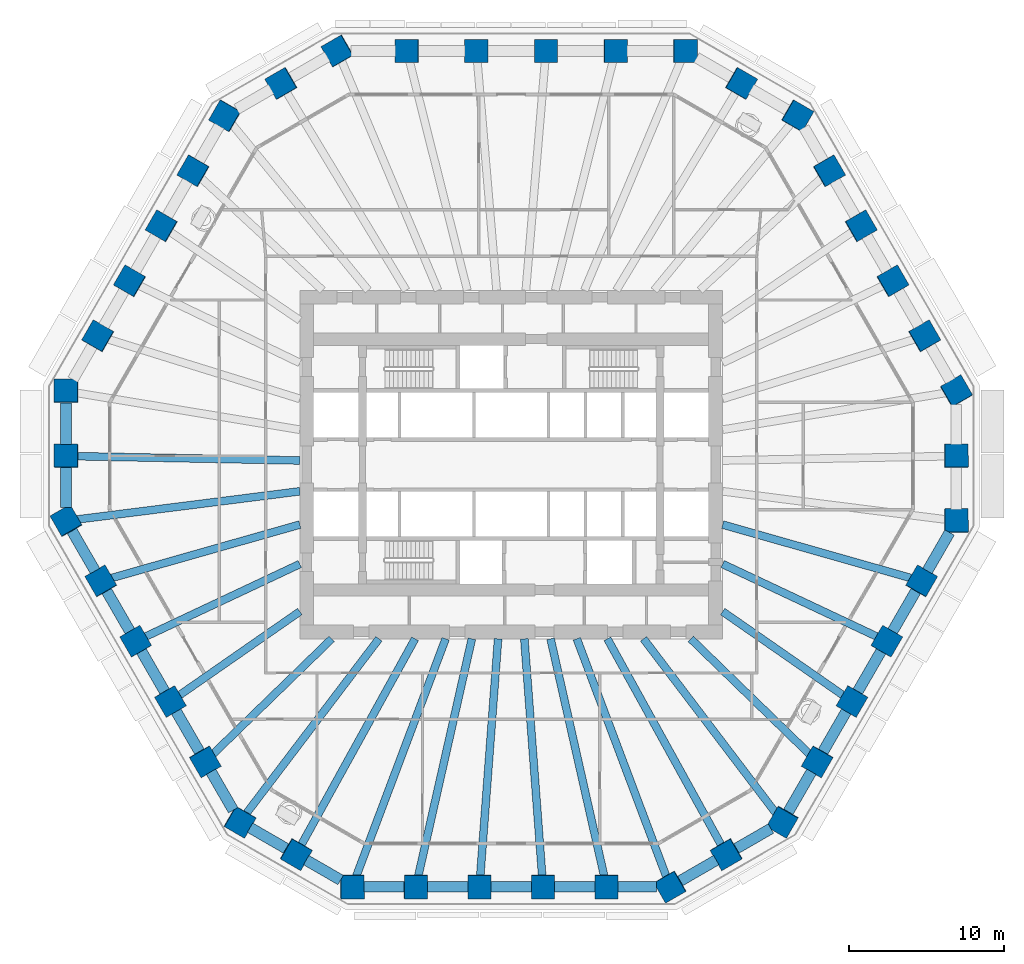
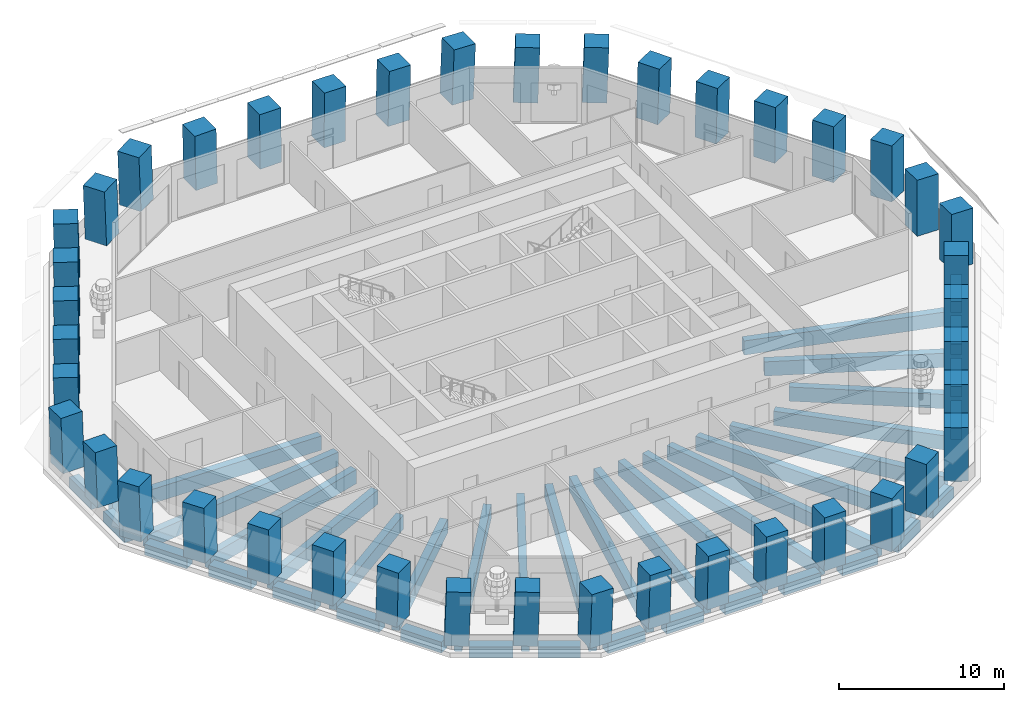
# One storey, part 1 of 13: 42 columns, 41 beams.
"""IFC4 building model written with IfcOpenShell, lengths in metres."""

from ifc_helpers import new_model, si_unit, direction, frame, origin, origin_2d, place, context, subcontext, project, spatial, rectangle, extrude, material, material_profile, profile_set, type_object, element, save


model = new_model("IFC4")

# Units and contexts
model_context = context("Model", 3, precision=1e-05, world=origin(), true_north=direction((0.0, 1.0)))
body_context = subcontext(model_context, "Body", "Model", "MODEL_VIEW")
ifc_project = project(units=[si_unit("LENGTHUNIT", "METRE"), si_unit("AREAUNIT", "SQUARE_METRE"), si_unit("VOLUMEUNIT", "CUBIC_METRE"), si_unit("PLANEANGLEUNIT", "RADIAN"), si_unit("MASSUNIT", "GRAM", prefix="KILO")], contexts=[model_context])

# Site, building, storey
site_placement = place(None, origin())
site = spatial("IfcSite", under=ifc_project, at=site_placement, CompositionType="ELEMENT")
building_placement = place(site_placement, origin())
building = spatial("IfcBuilding", under=site, at=building_placement, Name="Frailejon Research Tower", CompositionType="ELEMENT")
storey_placement = place(building_placement, frame((0.0, 0.0, 32.199951171875)))
storey = spatial("IfcBuildingStorey", under=building, at=storey_placement, Name="L07", CompositionType="ELEMENT", Elevation=32.199951171875)

# Columns
ifc_material_1 = material(Name="Concrete C70/85", Category="concrete")
ifc_material_profile_1 = material_profile(ifc_material_1, rectangle(XDim=1.5, YDim=1.5, at=origin_2d()), Name="Column 1500")
ifc_profile_set_1 = profile_set([ifc_material_profile_1], Name="Concrete C70/85")
column_type = type_object("IfcColumnType", Name="Column 1500", PredefinedType="COLUMN", material=ifc_profile_set_1)
for number, where, z_axis, x_axis, name in (
    (1, (28.732177734375, -3.634521484375, 0.0), (0.018132595726, 0.031445896907, 0.999340965106), (-0.001395592918, 0.999505115145, -0.031425739745), "Column C01"),
    (2, (28.732177734375, 0.552978515625, 0.0), (0.018132595726, 0.031445896907, 0.999340965106), (-0.001395592918, 0.999505115145, -0.031425739745), "Column C02"),
    (3, (28.732177734375, 4.74072265625, 0.0), (0.018132630042, 0.031385715123, 0.999342856388), (-0.500678917491, 0.865443910419, -0.018095842014), "Column C03"),
):
    element("IfcColumn", number, at=place(storey_placement, frame(where, z_axis=z_axis, x_axis=x_axis)), inside=storey, type_object=column_type, Name=name, PredefinedType="COLUMN", context=body_context, shape_type="SweptSolid", body=[
        extrude(rectangle(XDim=1.5, YDim=1.5, at=origin_2d()), origin(), (0.0, 0.0, 1.0), 4.052734375),
    ])
column_1_placement = place(storey_placement, frame((26.679931640625, 8.294921875, 0.0), z_axis=(0.021809609218, 0.025123223878, 0.999446429063), x_axis=(-0.499316957517, 0.86635106376, -0.010881647777)))
element("IfcColumn", 4, at=column_1_placement, inside=storey, type_object=column_type, Name="Column C04", PredefinedType="COLUMN", context=body_context, shape_type="SweptSolid", body=[
    extrude(rectangle(XDim=1.5, YDim=1.5, at=origin_2d()), origin(), (0.0, 0.0, 1.0), 4.05224609375),
])
for number, where, z_axis, x_axis, name in (
    (5, (24.6279296875, 11.849365234375, 0.0), (0.025365582388, 0.018858497119, 0.999500347332), (-0.501191337303, 0.865328971352, -0.0036075963), "Column C05"),
    (6, (22.57568359375, 15.40380859375, 0.0), (0.029040860623, 0.012532155622, 0.999499661576), (-0.499041572146, 0.866570424295, 0.003634419767), "Column C06"),
):
    element("IfcColumn", number, at=place(storey_placement, frame(where, z_axis=z_axis, x_axis=x_axis)), inside=storey, type_object=column_type, Name=name, PredefinedType="COLUMN", context=body_context, shape_type="SweptSolid", body=[
        extrude(rectangle(XDim=1.5, YDim=1.5, at=origin_2d()), origin(), (0.0, 0.0, 1.0), 4.052001953125),
    ])
column_2_placement = place(storey_placement, frame((20.523681640625, 18.9580078125, 0.0), z_axis=(0.032654187208, 0.006265748099, 0.999447069363), x_axis=(-0.499519823947, 0.866234008258, 0.010889831076)))
element("IfcColumn", 7, at=column_2_placement, inside=storey, type_object=column_type, Name="Column C07", PredefinedType="COLUMN", context=body_context, shape_type="SweptSolid", body=[
    extrude(rectangle(XDim=1.5, YDim=1.5, at=origin_2d()), origin(), (0.0, 0.0, 1.0), 4.05224609375),
])
for number, where, z_axis, x_axis, name in (
    (8, (18.4716796875, 22.512451171875, 0.0), (0.036265236264, 0.0, 0.999342199969), (-0.865313546461, 0.500246354177, 0.031401456084), "Column C08"),
    (9, (14.84521484375, 24.606201171875, 0.0), (0.036205074038, 0.0, 0.999344381389), (-0.865315435316, 0.500246354177, 0.031349362627), "Column C09"),
    (10, (11.218505859375, 26.699951171875, 0.0), (0.036265236264, 0.0, 0.999342199969), (-0.999342199969, 0.0, 0.036265236264), "Column C10"),
):
    element("IfcColumn", number, at=place(storey_placement, frame(where, z_axis=z_axis, x_axis=x_axis)), inside=storey, type_object=column_type, Name=name, PredefinedType="COLUMN", context=body_context, shape_type="SweptSolid", body=[
        extrude(rectangle(XDim=1.5, YDim=1.5, at=origin_2d()), origin(), (0.0, 0.0, 1.0), 4.052734375),
    ])
column_3_placement = place(storey_placement, frame((6.731201171875, 26.699951171875, 0.0), z_axis=(0.021756257337, 0.0, 0.999763304621), x_axis=(-0.999763304621, 0.0, 0.021756257337)))
element("IfcColumn", 11, at=column_3_placement, inside=storey, type_object=column_type, Name="Column C11", PredefinedType="COLUMN", context=body_context, shape_type="SweptSolid", body=[
    extrude(rectangle(XDim=1.5, YDim=1.5, at=origin_2d()), origin(), (0.0, 0.0, 1.0), 4.051025390625),
])
for number, where, z_axis, x_axis, name in (
    (12, (2.24365234375, 26.699951171875, 0.0), (0.007293795973, 0.0, 0.999973399916), (-0.999973399916, 0.0, 0.007293795973), "Column C12"),
    (13, (-2.24365234375, 26.699951171875, 0.0), (-0.007293795973, 0.0, 0.999973399916), (-0.999973399916, 0.0, -0.007293795973), "Column C13"),
):
    element("IfcColumn", number, at=place(storey_placement, frame(where, z_axis=z_axis, x_axis=x_axis)), inside=storey, type_object=column_type, Name=name, PredefinedType="COLUMN", context=body_context, shape_type="SweptSolid", body=[
        extrude(rectangle(XDim=1.5, YDim=1.5, at=origin_2d()), origin(), (0.0, 0.0, 1.0), 4.050048828125),
    ])
column_4_placement = place(storey_placement, frame((-6.731201171875, 26.699951171875, 0.0), z_axis=(-0.021756257337, 0.0, 0.999763304621), x_axis=(-0.999763304621, 0.0, -0.021756257337)))
element("IfcColumn", 14, at=column_4_placement, inside=storey, type_object=column_type, Name="Column C14", PredefinedType="COLUMN", context=body_context, shape_type="SweptSolid", body=[
    extrude(rectangle(XDim=1.5, YDim=1.5, at=origin_2d()), origin(), (0.0, 0.0, 1.0), 4.051025390625),
])
for number, where, z_axis, x_axis, name in (
    (15, (-11.218505859375, 26.699951171875, 0.0), (-0.036265236264, 0.0, 0.999342199969), (-0.865313546461, -0.500246354177, -0.031401456084), "Column C15"),
    (16, (-14.84521484375, 24.606201171875, 0.0), (-0.036205074038, 0.0, 0.999344381389), (-0.865315435316, -0.500246354177, -0.031349362627), "Column C16"),
    (17, (-18.4716796875, 22.512451171875, 0.0), (-0.036265236264, 0.0, 0.999342199969), (-0.499424867419, -0.866167613071, -0.018123682572), "Column C17"),
):
    element("IfcColumn", number, at=place(storey_placement, frame(where, z_axis=z_axis, x_axis=x_axis)), inside=storey, type_object=column_type, Name=name, PredefinedType="COLUMN", context=body_context, shape_type="SweptSolid", body=[
        extrude(rectangle(XDim=1.5, YDim=1.5, at=origin_2d()), origin(), (0.0, 0.0, 1.0), 4.052734375),
    ])
column_5_placement = place(storey_placement, frame((-20.523681640625, 18.9580078125, 0.0), z_axis=(-0.032654187208, 0.006265748099, 0.999447069363), x_axis=(-0.499519823947, -0.866234008258, -0.010889831076)))
element("IfcColumn", 18, at=column_5_placement, inside=storey, type_object=column_type, Name="Column C18", PredefinedType="COLUMN", context=body_context, shape_type="SweptSolid", body=[
    extrude(rectangle(XDim=1.5, YDim=1.5, at=origin_2d()), origin(), (0.0, 0.0, 1.0), 4.05224609375),
])
for number, where, z_axis, x_axis, name in (
    (19, (-22.57568359375, 15.40380859375, 0.0), (-0.029040860623, 0.012532155622, 0.999499661576), (-0.499041572146, -0.866570424295, -0.003634419767), "Column C19"),
    (20, (-24.6279296875, 11.849365234375, 0.0), (-0.025365582388, 0.018858497119, 0.999500347332), (-0.501191337303, -0.865328971352, 0.0036075963), "Column C20"),
):
    element("IfcColumn", number, at=place(storey_placement, frame(where, z_axis=z_axis, x_axis=x_axis)), inside=storey, type_object=column_type, Name=name, PredefinedType="COLUMN", context=body_context, shape_type="SweptSolid", body=[
        extrude(rectangle(XDim=1.5, YDim=1.5, at=origin_2d()), origin(), (0.0, 0.0, 1.0), 4.052001953125),
    ])
column_6_placement = place(storey_placement, frame((-26.679931640625, 8.294921875, 0.0), z_axis=(-0.021809609218, 0.025123223878, 0.999446429063), x_axis=(-0.499316957517, -0.86635106376, 0.010881647777)))
element("IfcColumn", 21, at=column_6_placement, inside=storey, type_object=column_type, Name="Column C21", PredefinedType="COLUMN", context=body_context, shape_type="SweptSolid", body=[
    extrude(rectangle(XDim=1.5, YDim=1.5, at=origin_2d()), origin(), (0.0, 0.0, 1.0), 4.05224609375),
])
for number, where, z_axis, x_axis, name in (
    (22, (-28.732177734375, 4.74072265625, 0.0), (-0.018132630042, 0.031385715123, 0.999342856388), (-0.000879091474, -0.999507299139, 0.031374928948), "Column C22"),
    (23, (-28.732177734375, 0.552978515625, 0.0), (-0.018132595726, 0.031445896907, 0.999340965106), (-0.001395592918, -0.999505115145, 0.031425739745), "Column C23"),
    (24, (-28.732177734375, -3.634521484375, 0.0), (-0.018132595726, 0.031445896907, 0.999340965106), (0.498955201563, -0.865867236636, 0.036299247284), "Column C24"),
):
    element("IfcColumn", number, at=place(storey_placement, frame(where, z_axis=z_axis, x_axis=x_axis)), inside=storey, type_object=column_type, Name=name, PredefinedType="COLUMN", context=body_context, shape_type="SweptSolid", body=[
        extrude(rectangle(XDim=1.5, YDim=1.5, at=origin_2d()), origin(), (0.0, 0.0, 1.0), 4.052734375),
    ])
column_7_placement = place(storey_placement, frame((-26.48828125, -7.520751953125, 0.0), z_axis=(-0.010908253887, 0.018863444567, 0.99976256204), x_axis=(0.500638377412, -0.865382225109, 0.021790354016)))
element("IfcColumn", 25, at=column_7_placement, inside=storey, type_object=column_type, Name="Column C25", PredefinedType="COLUMN", context=body_context, shape_type="SweptSolid", body=[
    extrude(rectangle(XDim=1.5, YDim=1.5, at=origin_2d()), origin(), (0.0, 0.0, 1.0), 4.051025390625),
])
for number, where, z_axis, x_axis, name in (
    (26, (-24.24462890625, -11.406982421875, 0.0), (-0.003677036938, 0.006329325876, 0.999973209158), (0.502147149997, -0.864751212075, 0.007319901948), "Column C26"),
    (27, (-22.0009765625, -15.293212890625, 0.0), (0.003616759812, -0.006269050341, 0.999973808685), (0.501883236828, -0.864905101718, -0.007237514304), "Column C27"),
):
    element("IfcColumn", number, at=place(storey_placement, frame(where, z_axis=z_axis, x_axis=x_axis)), inside=storey, type_object=column_type, Name=name, PredefinedType="COLUMN", context=body_context, shape_type="SweptSolid", body=[
        extrude(rectangle(XDim=1.5, YDim=1.5, at=origin_2d()), origin(), (0.0, 0.0, 1.0), 4.050048828125),
    ])
column_8_placement = place(storey_placement, frame((-19.75732421875, -19.17919921875, 0.0), z_axis=(0.010908253887, -0.018863444567, 0.99976256204), x_axis=(0.500638377412, -0.865382225109, -0.021790354016)))
element("IfcColumn", 28, at=column_8_placement, inside=storey, type_object=column_type, Name="Column C28", PredefinedType="COLUMN", context=body_context, shape_type="SweptSolid", body=[
    extrude(rectangle(XDim=1.5, YDim=1.5, at=origin_2d()), origin(), (0.0, 0.0, 1.0), 4.051025390625),
])
for number, where, z_axis, x_axis, name in (
    (29, (-17.513671875, -23.0654296875, 0.0), (0.018132595726, -0.031445896907, 0.999340965106), (0.865740985748, -0.499504693256, -0.031426215359), "Column C29"),
    (30, (-13.88720703125, -25.1591796875, 0.0), (0.018132595726, -0.031445896907, 0.999340965106), (0.865469370655, -0.499974541214, -0.031436071558), "Column C30"),
    (31, (-10.260498046875, -27.253173828125, 0.0), (0.018132630042, -0.031385715123, 0.999342856388), (0.999835440934, 0.001115627466, -0.018106529978), "Column C31"),
):
    element("IfcColumn", number, at=place(storey_placement, frame(where, z_axis=z_axis, x_axis=x_axis)), inside=storey, type_object=column_type, Name=name, PredefinedType="COLUMN", context=body_context, shape_type="SweptSolid", body=[
        extrude(rectangle(XDim=1.5, YDim=1.5, at=origin_2d()), origin(), (0.0, 0.0, 1.0), 4.052734375),
    ])
column_9_placement = place(storey_placement, frame((-6.15625, -27.253173828125, 0.0), z_axis=(0.010844578562, -0.031389030172, 0.999448409824), x_axis=(0.999940901456, -0.000426521309, -0.010863317853)))
element("IfcColumn", 32, at=column_9_placement, inside=storey, type_object=column_type, Name="Column C32", PredefinedType="COLUMN", context=body_context, shape_type="SweptSolid", body=[
    extrude(rectangle(XDim=1.5, YDim=1.5, at=origin_2d()), origin(), (0.0, 0.0, 1.0), 4.05224609375),
])
for number, where, z_axis, x_axis, name in (
    (33, (-2.052001953125, -27.253173828125, 0.0), (0.00361504848, -0.031390670968, 0.999500653927), (0.999993330164, -0.00040689317, -0.003629609449), "Column C33"),
    (34, (2.052001953125, -27.253173828125, 0.0), (-0.00361504848, -0.031390670968, 0.999500653927), (0.999993330164, 0.00040689317, 0.003629609449), "Column C34"),
):
    element("IfcColumn", number, at=place(storey_placement, frame(where, z_axis=z_axis, x_axis=x_axis)), inside=storey, type_object=column_type, Name=name, PredefinedType="COLUMN", context=body_context, shape_type="SweptSolid", body=[
        extrude(rectangle(XDim=1.5, YDim=1.5, at=origin_2d()), origin(), (0.0, 0.0, 1.0), 4.052001953125),
    ])
column_10_placement = place(storey_placement, frame((6.15625, -27.253173828125, 0.0), z_axis=(-0.010844578562, -0.031389030172, 0.999448409824), x_axis=(0.999940901456, 0.000426521309, 0.010863317853)))
element("IfcColumn", 35, at=column_10_placement, inside=storey, type_object=column_type, Name="Column C35", PredefinedType="COLUMN", context=body_context, shape_type="SweptSolid", body=[
    extrude(rectangle(XDim=1.5, YDim=1.5, at=origin_2d()), origin(), (0.0, 0.0, 1.0), 4.05224609375),
])
for number, where, z_axis, x_axis, name in (
    (36, (10.260498046875, -27.253173828125, 0.0), (-0.018132630042, -0.031385715123, 0.999342856388), (0.866156195426, 0.498787200508, 0.031381104725), "Column C36"),
    (37, (13.88720703125, -25.1591796875, 0.0), (-0.018132595726, -0.031445896907, 0.999340965106), (0.865469370655, 0.499974541214, 0.031436071558), "Column C37"),
    (38, (17.513671875, -23.0654296875, 0.0), (-0.018132595726, -0.031445896907, 0.999340965106), (0.499425428362, 0.865596098728, 0.036299247542), "Column C38"),
):
    element("IfcColumn", number, at=place(storey_placement, frame(where, z_axis=z_axis, x_axis=x_axis)), inside=storey, type_object=column_type, Name=name, PredefinedType="COLUMN", context=body_context, shape_type="SweptSolid", body=[
        extrude(rectangle(XDim=1.5, YDim=1.5, at=origin_2d()), origin(), (0.0, 0.0, 1.0), 4.052734375),
    ])
column_11_placement = place(storey_placement, frame((19.75732421875, -19.17919921875, 0.0), z_axis=(-0.010908253887, -0.018863444567, 0.99976256204), x_axis=(0.500638377412, 0.865382225109, 0.021790354016)))
element("IfcColumn", 39, at=column_11_placement, inside=storey, type_object=column_type, Name="Column C39", PredefinedType="COLUMN", context=body_context, shape_type="SweptSolid", body=[
    extrude(rectangle(XDim=1.5, YDim=1.5, at=origin_2d()), origin(), (0.0, 0.0, 1.0), 4.051025390625),
])
for number, where, z_axis, x_axis, name in (
    (40, (22.0009765625, -15.293212890625, 0.0), (-0.003616759812, -0.006269050341, 0.999973808685), (0.501883236828, 0.864905101718, 0.007237514304), "Column C40"),
    (41, (24.24462890625, -11.406982421875, 0.0), (0.003677036938, 0.006329325876, 0.999973209158), (0.502147149997, 0.864751212075, -0.007319901948), "Column C41"),
):
    element("IfcColumn", number, at=place(storey_placement, frame(where, z_axis=z_axis, x_axis=x_axis)), inside=storey, type_object=column_type, Name=name, PredefinedType="COLUMN", context=body_context, shape_type="SweptSolid", body=[
        extrude(rectangle(XDim=1.5, YDim=1.5, at=origin_2d()), origin(), (0.0, 0.0, 1.0), 4.050048828125),
    ])
column_12_placement = place(storey_placement, frame((26.48828125, -7.520751953125, 0.0), z_axis=(0.010908253887, 0.018863444567, 0.99976256204), x_axis=(0.500638377412, 0.865382225109, -0.021790354016)))
element("IfcColumn", 42, at=column_12_placement, inside=storey, type_object=column_type, Name="Column C42", PredefinedType="COLUMN", context=body_context, shape_type="SweptSolid", body=[
    extrude(rectangle(XDim=1.5, YDim=1.5, at=origin_2d()), origin(), (0.0, 0.0, 1.0), 4.051025390625),
])

# Beams
ifc_material_2 = material(Name="Concrete C60/75", Category="concrete")
ifc_material_profile_2 = material_profile(ifc_material_2, rectangle(XDim=0.5, YDim=1.050048828125, at=origin_2d()), Name="Girder 500x1050")
ifc_profile_set_2 = profile_set([ifc_material_profile_2], Name="Concrete C60/75")
beam_type_1 = type_object("IfcBeamType", Name="Girder 500x1050", PredefinedType="BEAM", material=ifc_profile_set_2)
beam_1_placement = place(storey_placement, frame((-28.132080078125, 0.54150390625, -0.824951171875), z_axis=(0.999814734792, -0.019248275041, 0.0), x_axis=(0.019248275041, 0.999814734792, 0.0)))
element("IfcBeam", 43, at=beam_1_placement, inside=storey, type_object=beam_type_1, Name="Girder 500x1050", PredefinedType="BEAM", context=body_context, shape_type="SweptSolid", body=[
    extrude(rectangle(XDim=0.5, YDim=1.050048828125, at=origin_2d()), origin(), (0.0, 0.0, 1.0), 14.48486328125),
])
beam_2_placement = place(storey_placement, frame((-28.07373046875, -3.55126953125, -0.824951171875), z_axis=(0.992094935369, 0.125489598037, 0.0), x_axis=(-0.125489598037, 0.992094935369, 0.0)))
element("IfcBeam", 44, at=beam_2_placement, inside=storey, type_object=beam_type_1, Name="Girder 500x1050", PredefinedType="BEAM", context=body_context, shape_type="SweptSolid", body=[
    extrude(rectangle(XDim=0.5, YDim=1.050048828125, at=origin_2d()), origin(), (0.0, 0.0, 1.0), 14.538818359375),
])
beam_3_placement = place(storey_placement, frame((-25.888671875, -7.350341796875, -0.824951171875), z_axis=(0.961978109157, 0.273126559498, 0.0), x_axis=(-0.273126559498, 0.961978109157, 0.0)))
element("IfcBeam", 45, at=beam_3_placement, inside=storey, type_object=beam_type_1, Name="Girder 500x1050", PredefinedType="BEAM", context=body_context, shape_type="SweptSolid", body=[
    extrude(rectangle(XDim=0.5, YDim=1.050048828125, at=origin_2d()), origin(), (0.0, 0.0, 1.0), 12.722412109375),
])
beam_4_placement = place(storey_placement, frame((-23.699462890625, -11.150390625, -0.824951171875), z_axis=(0.904851081216, 0.425728224131, 0.0), x_axis=(-0.425728224131, 0.904851081216, 0.0)))
element("IfcBeam", 46, at=beam_4_placement, inside=storey, type_object=beam_type_1, Name="Girder 500x1050", PredefinedType="BEAM", context=body_context, shape_type="SweptSolid", body=[
    extrude(rectangle(XDim=0.5, YDim=1.050048828125, at=origin_2d()), origin(), (0.0, 0.0, 1.0), 11.106201171875),
])
beam_5_placement = place(storey_placement, frame((-21.506103515625, -14.94921875, -0.824951171875), z_axis=(0.821113184417, 0.570765396968, 0.0), x_axis=(-0.570765396968, 0.821113184417, 0.0)))
element("IfcBeam", 47, at=beam_5_placement, inside=storey, type_object=beam_type_1, Name="Girder 500x1050", PredefinedType="BEAM", context=body_context, shape_type="SweptSolid", body=[
    extrude(rectangle(XDim=0.5, YDim=1.050048828125, at=origin_2d()), origin(), (0.0, 0.0, 1.0), 9.567626953125),
])
beam_6_placement = place(storey_placement, frame((-19.309814453125, -18.7451171875, -0.824951171875), z_axis=(0.717511317879, 0.696546846031, 0.0), x_axis=(-0.696546846031, 0.717511317879, 0.0)))
element("IfcBeam", 48, at=beam_6_placement, inside=storey, type_object=beam_type_1, Name="Girder 500x1050", PredefinedType="BEAM", context=body_context, shape_type="SweptSolid", body=[
    extrude(rectangle(XDim=0.5, YDim=1.050048828125, at=origin_2d()), origin(), (0.0, 0.0, 1.0), 10.760498046875),
])
beam_7_placement = place(storey_placement, frame((-17.147216796875, -22.5830078125, -0.824951171875), z_axis=(0.604733021616, 0.796428259523, 0.0), x_axis=(-0.796428259523, 0.604733021616, 0.0)))
element("IfcBeam", 49, at=beam_7_placement, inside=storey, type_object=beam_type_1, Name="Girder 500x1050", PredefinedType="BEAM", context=body_context, shape_type="SweptSolid", body=[
    extrude(rectangle(XDim=0.5, YDim=1.050048828125, at=origin_2d()), origin(), (0.0, 0.0, 1.0), 14.229736328125),
])
beam_8_placement = place(storey_placement, frame((-13.59716796875, -24.6337890625, -0.824951171875), z_axis=(0.483242408296, 0.875486593172, 0.0), x_axis=(-0.875486593172, 0.483242408296, 0.0)))
element("IfcBeam", 50, at=beam_8_placement, inside=storey, type_object=beam_type_1, Name="Girder 500x1050", PredefinedType="BEAM", context=body_context, shape_type="SweptSolid", body=[
    extrude(rectangle(XDim=0.5, YDim=1.050048828125, at=origin_2d()), origin(), (0.0, 0.0, 1.0), 15.287353515625),
])
beam_9_placement = place(storey_placement, frame((-10.031005859375, -26.6435546875, -0.824951171875), z_axis=(0.352339853155, 0.935872121541, 0.0), x_axis=(-0.935872121541, 0.352339853155, 0.0)))
element("IfcBeam", 51, at=beam_9_placement, inside=storey, type_object=beam_type_1, Name="Girder 500x1050", PredefinedType="BEAM", context=body_context, shape_type="SweptSolid", body=[
    extrude(rectangle(XDim=0.5, YDim=1.050048828125, at=origin_2d()), origin(), (0.0, 0.0, 1.0), 16.4482421875),
])
beam_10_placement = place(storey_placement, frame((-6.02001953125, -26.6494140625, -0.824951171875), z_axis=(0.220349629004, 0.975420955792, 0.0), x_axis=(-0.975420955792, 0.220349629004, 0.0)))
element("IfcBeam", 52, at=beam_10_placement, inside=storey, type_object=beam_type_1, Name="Girder 500x1050", PredefinedType="BEAM", context=body_context, shape_type="SweptSolid", body=[
    extrude(rectangle(XDim=0.5, YDim=1.050048828125, at=origin_2d()), origin(), (0.0, 0.0, 1.0), 15.787353515625),
])
for number, where, z_axis, x_axis, name in (
    (53, (-2.0068359375, -26.652587890625, -0.824951171875), (0.075077967891, 0.997177666586, 0.0), (-0.997177666586, 0.075077967891, 0.0), "Girder 500x1050"),
    (54, (2.0068359375, -26.652587890625, -0.824951171875), (-0.075077967891, 0.997177666586, 0.0), (-0.997177666586, -0.075077967891, 0.0), "Girder 500x1050"),
):
    element("IfcBeam", number, at=place(storey_placement, frame(where, z_axis=z_axis, x_axis=x_axis)), inside=storey, type_object=beam_type_1, Name=name, PredefinedType="BEAM", context=body_context, shape_type="SweptSolid", body=[
        extrude(rectangle(XDim=0.5, YDim=1.050048828125, at=origin_2d()), origin(), (0.0, 0.0, 1.0), 15.4462890625),
    ])
beam_11_placement = place(storey_placement, frame((6.02001953125, -26.6494140625, -0.824951171875), z_axis=(-0.220349629004, 0.975420955792, 0.0), x_axis=(-0.975420955792, -0.220349629004, 0.0)))
element("IfcBeam", 55, at=beam_11_placement, inside=storey, type_object=beam_type_1, Name="Girder 500x1050", PredefinedType="BEAM", context=body_context, shape_type="SweptSolid", body=[
    extrude(rectangle(XDim=0.5, YDim=1.050048828125, at=origin_2d()), origin(), (0.0, 0.0, 1.0), 15.787353515625),
])
beam_12_placement = place(storey_placement, frame((10.04541015625, -26.68212890625, -0.824951171875), z_axis=(-0.35233357288, 0.935874485934, 0.0), x_axis=(-0.935874485934, -0.35233357288, 0.0)))
element("IfcBeam", 56, at=beam_12_placement, inside=storey, type_object=beam_type_1, Name="Girder 500x1050", PredefinedType="BEAM", context=body_context, shape_type="SweptSolid", body=[
    extrude(rectangle(XDim=0.5, YDim=1.050048828125, at=origin_2d()), origin(), (0.0, 0.0, 1.0), 16.489501953125),
])
beam_13_placement = place(storey_placement, frame((13.59716796875, -24.6337890625, -0.824951171875), z_axis=(-0.483242408296, 0.875486593172, 0.0), x_axis=(-0.875486593172, -0.483242408296, 0.0)))
element("IfcBeam", 57, at=beam_13_placement, inside=storey, type_object=beam_type_1, Name="Girder 500x1050", PredefinedType="BEAM", context=body_context, shape_type="SweptSolid", body=[
    extrude(rectangle(XDim=0.5, YDim=1.050048828125, at=origin_2d()), origin(), (0.0, 0.0, 1.0), 15.287353515625),
])
beam_14_placement = place(storey_placement, frame((17.1123046875, -22.537109375, -0.824951171875), z_axis=(-0.604730285406, 0.796430337138, 0.0), x_axis=(-0.796430337138, -0.604730285406, 0.0)))
element("IfcBeam", 58, at=beam_14_placement, inside=storey, type_object=beam_type_1, Name="Girder 500x1050", PredefinedType="BEAM", context=body_context, shape_type="SweptSolid", body=[
    extrude(rectangle(XDim=0.5, YDim=1.050048828125, at=origin_2d()), origin(), (0.0, 0.0, 1.0), 14.172119140625),
])
beam_15_placement = place(storey_placement, frame((19.309814453125, -18.7451171875, -0.824951171875), z_axis=(-0.717511317879, 0.696546846031, 0.0), x_axis=(-0.696546846031, -0.717511317879, 0.0)))
element("IfcBeam", 59, at=beam_15_placement, inside=storey, type_object=beam_type_1, Name="Girder 500x1050", PredefinedType="BEAM", context=body_context, shape_type="SweptSolid", body=[
    extrude(rectangle(XDim=0.5, YDim=1.050048828125, at=origin_2d()), origin(), (0.0, 0.0, 1.0), 10.760498046875),
])
beam_16_placement = place(storey_placement, frame((21.506103515625, -14.94921875, -0.824951171875), z_axis=(-0.821113184417, 0.570765396968, 0.0), x_axis=(-0.570765396968, -0.821113184417, 0.0)))
element("IfcBeam", 60, at=beam_16_placement, inside=storey, type_object=beam_type_1, Name="Girder 500x1050", PredefinedType="BEAM", context=body_context, shape_type="SweptSolid", body=[
    extrude(rectangle(XDim=0.5, YDim=1.050048828125, at=origin_2d()), origin(), (0.0, 0.0, 1.0), 9.567626953125),
])
beam_17_placement = place(storey_placement, frame((23.699462890625, -11.150390625, -0.824951171875), z_axis=(-0.904851081216, 0.425728224131, 0.0), x_axis=(-0.425728224131, -0.904851081216, 0.0)))
element("IfcBeam", 61, at=beam_17_placement, inside=storey, type_object=beam_type_1, Name="Girder 500x1050", PredefinedType="BEAM", context=body_context, shape_type="SweptSolid", body=[
    extrude(rectangle(XDim=0.5, YDim=1.050048828125, at=origin_2d()), origin(), (0.0, 0.0, 1.0), 11.106201171875),
])
beam_18_placement = place(storey_placement, frame((25.888671875, -7.350341796875, -0.824951171875), z_axis=(-0.961978109157, 0.273126559498, 0.0), x_axis=(-0.273126559498, -0.961978109157, 0.0)))
element("IfcBeam", 62, at=beam_18_placement, inside=storey, type_object=beam_type_1, Name="Girder 500x1050", PredefinedType="BEAM", context=body_context, shape_type="SweptSolid", body=[
    extrude(rectangle(XDim=0.5, YDim=1.050048828125, at=origin_2d()), origin(), (0.0, 0.0, 1.0), 12.722412109375),
])
ifc_material_3 = material(Name="Concrete C60/75", Category="concrete")
ifc_material_profile_3 = material_profile(ifc_material_3, rectangle(XDim=0.699951171875, YDim=0.800048828125, at=origin_2d()), Name="Spandrel 700x800")
ifc_profile_set_3 = profile_set([ifc_material_profile_3], Name="Concrete C60/75")
beam_type_2 = type_object("IfcBeamType", Name="Spandrel 700x800", PredefinedType="BEAM", material=ifc_profile_set_3)
beam_19_placement = place(storey_placement, frame((-28.732177734375, 3.99072265625, -0.75), z_axis=(0.0, -1.0, 0.0), x_axis=(1.0, 0.0, 0.0)))
element("IfcBeam", 63, at=beam_19_placement, inside=storey, type_object=beam_type_2, Name="Spandrel 700x800", PredefinedType="BEAM", context=body_context, shape_type="SweptSolid", body=[
    extrude(rectangle(XDim=0.699951171875, YDim=0.800048828125, at=origin_2d()), origin(), (0.0, 0.0, 1.0), 2.687744140625),
])
beam_20_placement = place(storey_placement, frame((-28.732177734375, -0.197021484375, -0.75), z_axis=(0.0, -1.0, 0.0), x_axis=(1.0, 0.0, 0.0)))
element("IfcBeam", 64, at=beam_20_placement, inside=storey, type_object=beam_type_2, Name="Spandrel 700x800", PredefinedType="BEAM", context=body_context, shape_type="SweptSolid", body=[
    extrude(rectangle(XDim=0.699951171875, YDim=0.800048828125, at=origin_2d()), origin(), (0.0, 0.0, 1.0), 2.571533203125),
])
beam_21_placement = place(storey_placement, frame((-28.357177734375, -4.283935546875, -0.75), z_axis=(0.500050208323, -0.865996414055, 0.0), x_axis=(0.865996414055, 0.500050208323, 0.0)))
element("IfcBeam", 65, at=beam_21_placement, inside=storey, type_object=beam_type_2, Name="Spandrel 700x800", PredefinedType="BEAM", context=body_context, shape_type="SweptSolid", body=[
    extrude(rectangle(XDim=0.699951171875, YDim=0.800048828125, at=origin_2d()), origin(), (0.0, 0.0, 1.0), 2.987548828125),
])
for number, where, z_axis, x_axis, name in (
    (66, (-26.11328125, -8.170166015625, -0.75), (0.499988917992, -0.86603180189, 0.0), (0.86603180189, 0.499988917992, 0.0), "Spandrel 700x800"),
    (67, (-23.86962890625, -12.056396484375, -0.75), (0.499988917992, -0.86603180189, 0.0), (0.86603180189, 0.499988917992, 0.0), "Spandrel 700x800"),
    (68, (-21.6259765625, -15.942626953125, -0.75), (0.499988917992, -0.86603180189, 0.0), (0.86603180189, 0.499988917992, 0.0), "Spandrel 700x800"),
):
    element("IfcBeam", number, at=place(storey_placement, frame(where, z_axis=z_axis, x_axis=x_axis)), inside=storey, type_object=beam_type_2, Name=name, PredefinedType="BEAM", context=body_context, shape_type="SweptSolid", body=[
        extrude(rectangle(XDim=0.699951171875, YDim=0.800048828125, at=origin_2d()), origin(), (0.0, 0.0, 1.0), 2.9873046875),
    ])
beam_22_placement = place(storey_placement, frame((-19.38232421875, -19.828857421875, -0.75), z_axis=(0.50004384194, -0.866000090149, 0.0), x_axis=(0.866000090149, 0.50004384194, 0.0)))
element("IfcBeam", 69, at=beam_22_placement, inside=storey, type_object=beam_type_2, Name="Spandrel 700x800", PredefinedType="BEAM", context=body_context, shape_type="SweptSolid", body=[
    extrude(rectangle(XDim=0.699951171875, YDim=0.800048828125, at=origin_2d()), origin(), (0.0, 0.0, 1.0), 2.871337890625),
])
beam_23_placement = place(storey_placement, frame((-16.864013671875, -23.4404296875, -0.75), z_axis=(0.866020687897, -0.500008168067, 0.0), x_axis=(0.500008168067, 0.866020687897, 0.0)))
element("IfcBeam", 70, at=beam_23_placement, inside=storey, type_object=beam_type_2, Name="Spandrel 700x800", PredefinedType="BEAM", context=body_context, shape_type="SweptSolid", body=[
    extrude(rectangle(XDim=0.699951171875, YDim=0.800048828125, at=origin_2d()), origin(), (0.0, 0.0, 1.0), 2.6875),
])
beam_24_placement = place(storey_placement, frame((-13.237548828125, -25.5341796875, -0.75), z_axis=(0.866008514048, -0.50002925274, 0.0), x_axis=(0.50002925274, 0.866008514048, 0.0)))
element("IfcBeam", 71, at=beam_24_placement, inside=storey, type_object=beam_type_2, Name="Spandrel 700x800", PredefinedType="BEAM", context=body_context, shape_type="SweptSolid", body=[
    extrude(rectangle(XDim=0.699951171875, YDim=0.800048828125, at=origin_2d()), origin(), (0.0, 0.0, 1.0), 2.571533203125),
])
for number, where, z_axis, x_axis, name in (
    (72, (-9.510498046875, -27.253173828125, -0.75), (1.0, 0.0, 0.0), (0.0, 1.0, 0.0), "Spandrel 700x800"),
    (73, (-5.40625, -27.253173828125, -0.75), (1.0, 0.0, 0.0), (0.0, 1.0, 0.0), "Spandrel 700x800"),
):
    element("IfcBeam", number, at=place(storey_placement, frame(where, z_axis=z_axis, x_axis=x_axis)), inside=storey, type_object=beam_type_2, Name=name, PredefinedType="BEAM", context=body_context, shape_type="SweptSolid", body=[
        extrude(rectangle(XDim=0.699951171875, YDim=0.800048828125, at=origin_2d()), origin(), (0.0, 0.0, 1.0), 2.604248046875),
    ])
beam_25_placement = place(storey_placement, frame((-1.302001953125, -27.253173828125, -0.75), z_axis=(1.0, 0.0, 0.0), x_axis=(0.0, 1.0, 0.0)))
element("IfcBeam", 74, at=beam_25_placement, inside=storey, type_object=beam_type_2, Name="Spandrel 700x800", PredefinedType="BEAM", context=body_context, shape_type="SweptSolid", body=[
    extrude(rectangle(XDim=0.699951171875, YDim=0.800048828125, at=origin_2d()), origin(), (0.0, 0.0, 1.0), 2.60400390625),
])
beam_26_placement = place(storey_placement, frame((2.802001953125, -27.253173828125, -0.75), z_axis=(1.0, 0.0, 0.0), x_axis=(0.0, 1.0, 0.0)))
element("IfcBeam", 75, at=beam_26_placement, inside=storey, type_object=beam_type_2, Name="Spandrel 700x800", PredefinedType="BEAM", context=body_context, shape_type="SweptSolid", body=[
    extrude(rectangle(XDim=0.699951171875, YDim=0.800048828125, at=origin_2d()), origin(), (0.0, 0.0, 1.0), 2.604248046875),
])
beam_27_placement = place(storey_placement, frame((6.90625, -27.253173828125, -0.75), z_axis=(1.0, 0.0, 0.0), x_axis=(0.0, 1.0, 0.0)))
element("IfcBeam", 76, at=beam_27_placement, inside=storey, type_object=beam_type_2, Name="Spandrel 700x800", PredefinedType="BEAM", context=body_context, shape_type="SweptSolid", body=[
    extrude(rectangle(XDim=0.699951171875, YDim=0.800048828125, at=origin_2d()), origin(), (0.0, 0.0, 1.0), 2.48828125),
])
beam_28_placement = place(storey_placement, frame((10.909912109375, -26.878173828125, -0.75), z_axis=(0.866004064096, 0.500036959603, 0.0), x_axis=(-0.500036959603, 0.866004064096, 0.0)))
element("IfcBeam", 77, at=beam_28_placement, inside=storey, type_object=beam_type_2, Name="Spandrel 700x800", PredefinedType="BEAM", context=body_context, shape_type="SweptSolid", body=[
    extrude(rectangle(XDim=0.699951171875, YDim=0.800048828125, at=origin_2d()), origin(), (0.0, 0.0, 1.0), 2.687744140625),
])
beam_29_placement = place(storey_placement, frame((14.53662109375, -24.7841796875, -0.75), z_axis=(0.86604962328, 0.499958048256, 0.0), x_axis=(-0.499958048256, 0.86604962328, 0.0)))
element("IfcBeam", 78, at=beam_29_placement, inside=storey, type_object=beam_type_2, Name="Spandrel 700x800", PredefinedType="BEAM", context=body_context, shape_type="SweptSolid", body=[
    extrude(rectangle(XDim=0.699951171875, YDim=0.800048828125, at=origin_2d()), origin(), (0.0, 0.0, 1.0), 2.571533203125),
])
for number, where, z_axis, x_axis, name in (
    (79, (17.888671875, -22.416015625, -0.75), (0.499988917992, 0.86603180189, 0.0), (-0.86603180189, 0.499988917992, 0.0), "Spandrel 700x800"),
    (80, (20.13232421875, -18.52978515625, -0.75), (0.499988917992, 0.86603180189, 0.0), (-0.86603180189, 0.499988917992, 0.0), "Spandrel 700x800"),
    (81, (22.3759765625, -14.6435546875, -0.75), (0.499988917992, 0.86603180189, 0.0), (-0.86603180189, 0.499988917992, 0.0), "Spandrel 700x800"),
    (82, (24.61962890625, -10.75732421875, -0.75), (0.499988917992, 0.86603180189, 0.0), (-0.86603180189, 0.499988917992, 0.0), "Spandrel 700x800"),
):
    element("IfcBeam", number, at=place(storey_placement, frame(where, z_axis=z_axis, x_axis=x_axis)), inside=storey, type_object=beam_type_2, Name=name, PredefinedType="BEAM", context=body_context, shape_type="SweptSolid", body=[
        extrude(rectangle(XDim=0.699951171875, YDim=0.800048828125, at=origin_2d()), origin(), (0.0, 0.0, 1.0), 2.9873046875),
    ])
beam_30_placement = place(storey_placement, frame((26.86328125, -6.87109375, -0.75), z_axis=(0.50004384194, 0.866000090149, 0.0), x_axis=(-0.866000090149, 0.50004384194, 0.0)))
element("IfcBeam", 83, at=beam_30_placement, inside=storey, type_object=beam_type_2, Name="Spandrel 700x800", PredefinedType="BEAM", context=body_context, shape_type="SweptSolid", body=[
    extrude(rectangle(XDim=0.699951171875, YDim=0.800048828125, at=origin_2d()), origin(), (0.0, 0.0, 1.0), 2.871337890625),
])

save(model, "model.ifc")
